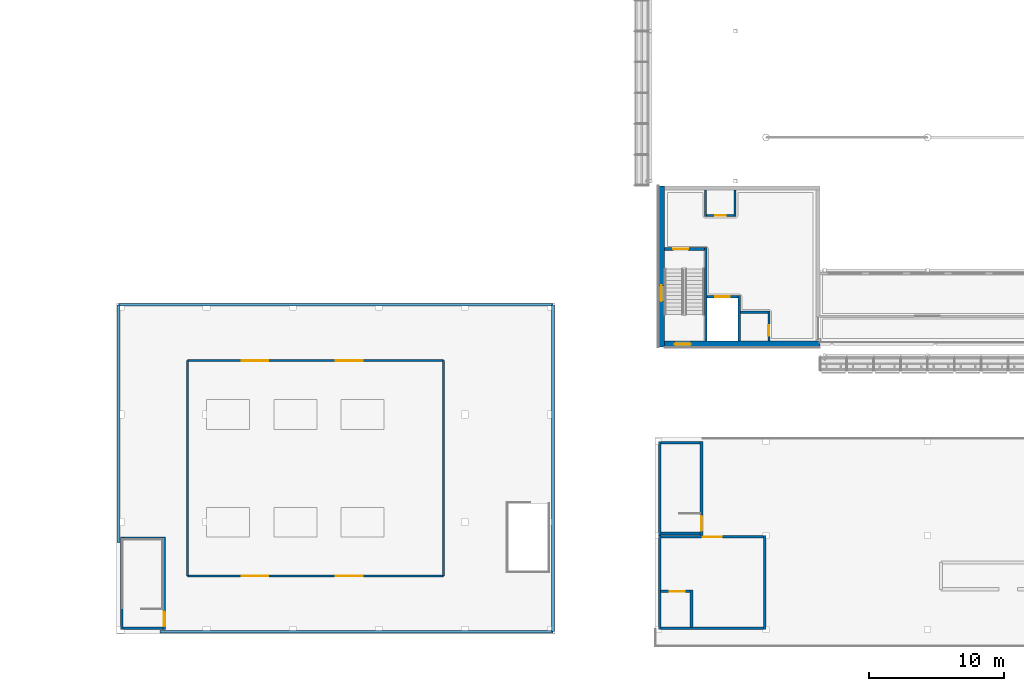
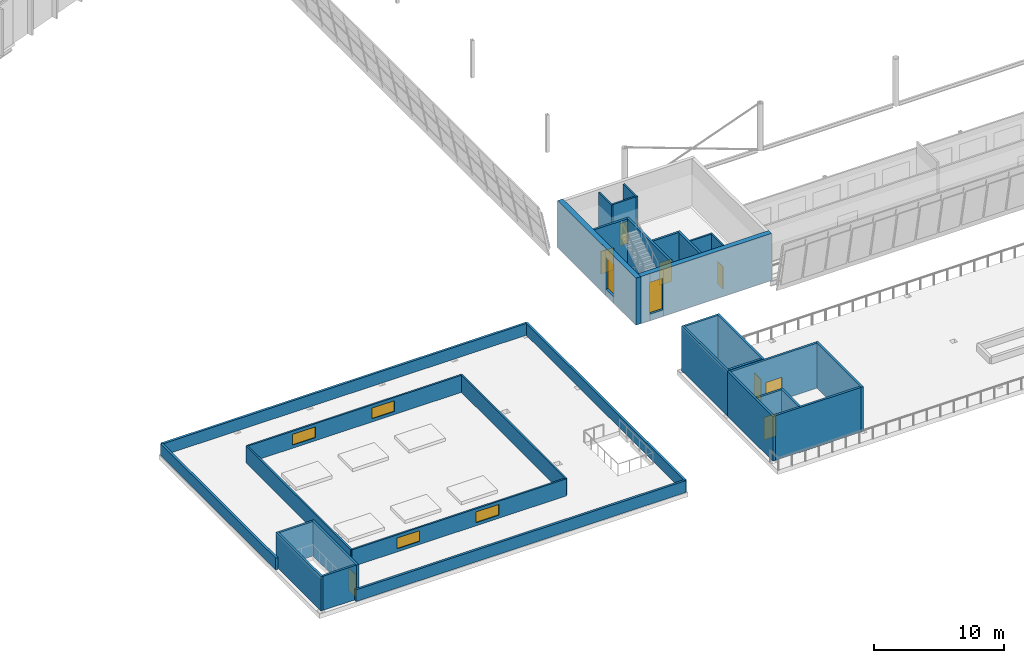
# One storey, part 48 of 95: 33 walls, 8 doors, 6 windows, 14 openings.
"""IFC4 building model written with IfcOpenShell, lengths in metres."""

from ifc_helpers import new_model, si_unit, direction, frame, frame_2d, origin, place, context, subcontext, project, spatial, rectangle, extrude, material, layer, layer_set, type_object, element, fill, save


model = new_model("IFC4")

# Units and contexts
model_context = context("Model", 3, precision=1e-05, world=origin(), true_north=direction((0.0, 1.0)))
body_context = subcontext(model_context, "Body", "Model", "MODEL_VIEW")
ifc_project = project(units=[si_unit("LENGTHUNIT", "METRE"), si_unit("AREAUNIT", "SQUARE_METRE"), si_unit("VOLUMEUNIT", "CUBIC_METRE"), si_unit("PLANEANGLEUNIT", "RADIAN"), si_unit("MASSUNIT", "GRAM", prefix="KILO")], contexts=[model_context])

# Site, building, storey
site_placement = place(None, origin())
site = spatial("IfcSite", under=ifc_project, at=site_placement, CompositionType="ELEMENT")
building_placement = place(site_placement, origin())
building = spatial("IfcBuilding", under=site, at=building_placement, Name="Windward Yard Aquatics Centre", CompositionType="ELEMENT")
storey_placement = place(building_placement, frame((0.0, 0.0, 9.39990234375)))
storey = spatial("IfcBuildingStorey", under=building, at=storey_placement, Name="L02", CompositionType="ELEMENT", Elevation=9.39990234375)

# Wall
ifc_material_1 = material(Name="Concrete C35/45", Category="concrete")
ifc_layer_1 = layer(ifc_material_1, 0.199951171875)
ifc_layer_set_1 = layer_set([ifc_layer_1], Name="C core enclosure wall 200")
wall_type_1 = type_object("IfcWallType", Name="C core enclosure wall 200", PredefinedType="SOLIDWALL", material=ifc_layer_set_1)
wall_1_placement = place(storey_placement, frame((54.449951171875, 5.14990234375, 0.0), z_axis=(0.0, 0.0, 1.0), x_axis=(0.0, 1.0, 0.0)))
element("IfcWall", 1, at=wall_1_placement, inside=storey, type_object=wall_type_1, Name="C.W.L02.LS.E", PredefinedType="SOLIDWALL", context=body_context, shape_type="SweptSolid", body=[
    extrude(rectangle(XDim=2.800048828125, YDim=0.199951171875, at=frame_2d((1.39990234375, 0.0))), origin(), (0.0, 0.0, 1.0), 4.2001953125),
])

# Wall, opening, door
wall_2_placement = place(storey_placement, frame((52.14990234375, 7.85009765625, 0.0), z_axis=(0.0, 0.0, 1.0), x_axis=(1.0, 0.0, 0.0)))
wall_2 = element("IfcWall", 2, at=wall_2_placement, inside=storey, type_object=wall_type_1, Name="C.W.L02.LS.N", PredefinedType="SOLIDWALL", context=body_context, shape_type="SweptSolid", body=[
    extrude(rectangle(XDim=2.2001953125, YDim=0.199951171875, at=frame_2d((1.10009765625, 0.0))), origin(), (0.0, 0.0, 1.0), 4.2001953125),
])
opening_1_placement = place(wall_2_placement, frame((0.699951171875, 0.0, 0.0)))
opening_1 = element("IfcOpeningElement", 3, at=opening_1_placement, cuts=wall_2, Name="Opening C2902", PredefinedType="OPENING", context=body_context, shape_type="SweptSolid", body=[
    extrude(rectangle(XDim=1.10009765625, YDim=2.10009765625, at=frame_2d((0.550048828125, 1.050048828125))), frame((0.0, 0.10986328125, 0.0), z_axis=(0.0, -1.0, 0.0), x_axis=(1.0, 0.0, 0.0)), (0.0, 0.0, 1.0), 0.219970703125),
])
ifc_material_2 = material(Name="Aluminium framed glazed sliding door", Category="aluminium")
door_type_1 = type_object("IfcDoorType", Name="C sliding door 1100X2100 FD60", OperationType="SLIDING_TO_LEFT", PredefinedType="DOOR", material=ifc_material_2)
door_1_placement = place(opening_1_placement, origin())
door_1 = element("IfcDoor", 4, at=door_1_placement, inside=storey, type_object=door_type_1, Name="Lift 1 landing door L02", OperationType="SLIDING_TO_LEFT", OverallHeight=2.10009765625, OverallWidth=1.10009765625, PredefinedType="DOOR", context=body_context, shape_type="SweptSolid", body=[
    extrude(rectangle(XDim=1.10009765625, YDim=2.10009765625, at=frame_2d((0.550048828125, 1.050048828125))), frame((0.0, 0.02490234375, 0.0), z_axis=(0.0, -1.0, 0.0), x_axis=(1.0, 0.0, 0.0)), (0.0, 0.0, 1.0), 0.050048828125),
])
fill(opening_1, door_1)

# Walls
ifc_layer_2 = layer(ifc_material_1, 0.199951171875)
ifc_layer_set_2 = layer_set([ifc_layer_2], Name="C head-house wall 200")
wall_type_2 = type_object("IfcWallType", Name="C head-house wall 200", PredefinedType="SOLIDWALL", material=ifc_layer_set_2)
wall_3_placement = place(storey_placement, frame((52.10009765625, 5.0, 0.0), z_axis=(0.0, 0.0, 1.0), x_axis=(0.0, 1.0, 0.0)))
element("IfcWall", 5, at=wall_3_placement, inside=storey, type_object=wall_type_2, Name="C.W.L02.LW", PredefinedType="SOLIDWALL", context=body_context, shape_type="SweptSolid", body=[
    extrude(rectangle(XDim=7.0, YDim=0.199951171875, at=frame_2d((3.5, 0.0))), origin(), (0.0, 0.0, 1.0), 4.2001953125),
])
wall_4_placement = place(storey_placement, frame((52.199951171875, 5.10009765625, 0.0), z_axis=(0.0, 0.0, 1.0), x_axis=(1.0, 0.0, 0.0)))
element("IfcWall", 6, at=wall_4_placement, inside=storey, type_object=wall_type_2, Name="C.W.L02.LS", PredefinedType="SOLIDWALL", context=body_context, shape_type="SweptSolid", body=[
    extrude(rectangle(XDim=7.60009765625, YDim=0.199951171875, at=frame_2d((3.800048828125, 0.0))), origin(), (0.0, 0.0, 1.0), 4.2001953125),
])
wall_5_placement = place(storey_placement, frame((59.89990234375, 5.0, 0.0), z_axis=(0.0, 0.0, 1.0), x_axis=(0.0, 1.0, 0.0)))
element("IfcWall", 7, at=wall_5_placement, inside=storey, type_object=wall_type_2, Name="C.W.L02.LE", PredefinedType="SOLIDWALL", context=body_context, shape_type="SweptSolid", body=[
    extrude(rectangle(XDim=7.0, YDim=0.199951171875, at=frame_2d((3.5, 0.0))), origin(), (0.0, 0.0, 1.0), 4.2001953125),
])

# Wall, opening, door
wall_6_placement = place(storey_placement, frame((52.199951171875, 11.89990234375, 0.0), z_axis=(0.0, 0.0, 1.0), x_axis=(1.0, 0.0, 0.0)))
wall_6 = element("IfcWall", 8, at=wall_6_placement, inside=storey, type_object=wall_type_2, Name="C.W.L02.LN", PredefinedType="SOLIDWALL", context=body_context, shape_type="SweptSolid", body=[
    extrude(rectangle(XDim=7.60009765625, YDim=0.199951171875, at=frame_2d((3.800048828125, 0.0))), origin(), (0.0, 0.0, 1.0), 4.2001953125),
])
opening_2_placement = place(wall_6_placement, frame((3.10009765625, 0.0, 0.0)))
opening_2 = element("IfcOpeningElement", 9, at=opening_2_placement, cuts=wall_6, Name="Opening C2001", PredefinedType="OPENING", context=body_context, shape_type="SweptSolid", body=[
    extrude(rectangle(XDim=1.39990234375, YDim=2.10009765625, at=frame_2d((0.699951171875, 1.050048828125))), frame((0.0, 0.10986328125, 0.0), z_axis=(0.0, -1.0, 0.0), x_axis=(1.0, 0.0, 0.0)), (0.0, 0.0, 1.0), 0.219970703125),
])
ifc_material_3 = material(Name="Aluminium framed glazed door", Category="aluminium")
door_type_2 = type_object("IfcDoorType", Name="C glazed door 1400X2100 FD60", OperationType="SINGLE_SWING_LEFT", PredefinedType="DOOR", material=ifc_material_3)
door_2_placement = place(opening_2_placement, origin())
door_2 = element("IfcDoor", 10, at=door_2_placement, inside=storey, type_object=door_type_2, Name="Terrace lobby door", OperationType="SINGLE_SWING_LEFT", OverallHeight=2.10009765625, OverallWidth=1.39990234375, PredefinedType="DOOR", context=body_context, shape_type="SweptSolid", body=[
    extrude(rectangle(XDim=1.39990234375, YDim=2.10009765625, at=frame_2d((0.699951171875, 1.050048828125))), frame((0.0, 0.02490234375, 0.0), z_axis=(0.0, -1.0, 0.0), x_axis=(1.0, 0.0, 0.0)), (0.0, 0.0, 1.0), 0.050048828125),
])
fill(opening_2, door_2)

# Wall
wall_7_placement = place(storey_placement, frame((52.10009765625, 12.0, 0.0), z_axis=(0.0, 0.0, 1.0), x_axis=(0.0, 1.0, 0.0)))
element("IfcWall", 11, at=wall_7_placement, inside=storey, type_object=wall_type_2, Name="C.W.L02.S1W", PredefinedType="SOLIDWALL", context=body_context, shape_type="SweptSolid", body=[
    extrude(rectangle(XDim=7.0, YDim=0.199951171875, at=frame_2d((3.5, 0.0))), origin(), (0.0, 0.0, 1.0), 4.2001953125),
])

# Wall, opening, door
wall_8_placement = place(storey_placement, frame((55.199951171875, 12.0, 0.0), z_axis=(0.0, 0.0, 1.0), x_axis=(0.0, 1.0, 0.0)))
wall_8 = element("IfcWall", 12, at=wall_8_placement, inside=storey, type_object=wall_type_2, Name="C.W.L02.S1E", PredefinedType="SOLIDWALL", context=body_context, shape_type="SweptSolid", body=[
    extrude(rectangle(XDim=7.0, YDim=0.199951171875, at=frame_2d((3.5, 0.0))), origin(), (0.0, 0.0, 1.0), 4.2001953125),
])
opening_3_placement = place(wall_8_placement, frame((0.35009765625, 0.0, 0.0)))
opening_3 = element("IfcOpeningElement", 13, at=opening_3_placement, cuts=wall_8, Name="Opening C2002", PredefinedType="OPENING", context=body_context, shape_type="SweptSolid", body=[
    extrude(rectangle(XDim=1.10009765625, YDim=2.10009765625, at=frame_2d((0.550048828125, 1.050048828125))), frame((0.0, 0.10986328125, 0.0), z_axis=(0.0, -1.0, 0.0), x_axis=(1.0, 0.0, 0.0)), (0.0, 0.0, 1.0), 0.219970703125),
])
ifc_material_4 = material(Name="Steel door leaf in steel frame", Category="steel")
door_type_3 = type_object("IfcDoorType", Name="C steel door 1100X2100 FD60", OperationType="SINGLE_SWING_LEFT", PredefinedType="DOOR", material=ifc_material_4)
door_3_placement = place(opening_3_placement, origin())
door_3 = element("IfcDoor", 14, at=door_3_placement, inside=storey, type_object=door_type_3, Name="Stair 1 roof door", OperationType="SINGLE_SWING_LEFT", OverallHeight=2.10009765625, OverallWidth=1.10009765625, PredefinedType="DOOR", context=body_context, shape_type="SweptSolid", body=[
    extrude(rectangle(XDim=1.10009765625, YDim=2.10009765625, at=frame_2d((0.550048828125, 1.050048828125))), frame((0.0, 0.02490234375, 0.0), z_axis=(0.0, -1.0, 0.0), x_axis=(1.0, 0.0, 0.0)), (0.0, 0.0, 1.0), 0.050048828125),
])
fill(opening_3, door_3)

# Walls
for number, where, z_axis, x_axis, name in (
    (15, (52.199951171875, 12.14990234375, 0.0), (0.0, 0.0, 1.0), (1.0, 0.0, 0.0), "C.W.L02.S1S"),
    (16, (52.199951171875, 18.89990234375, 0.0), (0.0, 0.0, 1.0), (1.0, 0.0, 0.0), "C.W.L02.S1N"),
):
    element("IfcWall", number, at=place(storey_placement, frame(where, z_axis=z_axis, x_axis=x_axis)), inside=storey, type_object=wall_type_2, Name=name, PredefinedType="SOLIDWALL", context=body_context, shape_type="SweptSolid", body=[
        extrude(rectangle(XDim=2.900146484375, YDim=0.199951171875, at=frame_2d((1.4501953125, 0.0))), origin(), (0.0, 0.0, 1.0), 4.2001953125),
    ])
ifc_layer_3 = layer(ifc_material_1, 0.199951171875)
ifc_layer_set_3 = layer_set([ifc_layer_3], Name="H Enclosure Wall Concrete C35/45 200")
wall_type_3 = type_object("IfcWallType", Name="H Enclosure Wall Concrete C35/45 200", PredefinedType="SOLIDWALL", material=ifc_layer_set_3)
wall_9_placement = place(storey_placement, frame((55.5, 26.449951171875, 0.0), z_axis=(0.0, 0.0, 1.0), x_axis=(0.0, 1.0, 0.0)))
element("IfcWall", 17, at=wall_9_placement, inside=storey, type_object=wall_type_3, Name="L02 W1 enclosure wall SW", PredefinedType="SOLIDWALL", context=body_context, shape_type="SweptSolid", body=[
    extrude(rectangle(XDim=6.949951171875, YDim=0.199951171875, at=frame_2d((3.47509765625, 0.0))), origin(), (0.0, 0.0, 1.0), 4.400146484375),
])

# Wall, opening, door
wall_10_placement = place(storey_placement, frame((52.449951171875, 33.300048828125, 0.0), z_axis=(0.0, 0.0, 1.0), x_axis=(1.0, 0.0, 0.0)))
wall_10 = element("IfcWall", 18, at=wall_10_placement, inside=storey, type_object=wall_type_3, Name="L02 W2 enclosure wall SW", PredefinedType="SOLIDWALL", context=body_context, shape_type="SweptSolid", body=[
    extrude(rectangle(XDim=2.949951171875, YDim=0.199951171875, at=frame_2d((1.47509765625, 0.0))), origin(), (0.0, 0.0, 1.0), 4.400146484375),
])
opening_4_placement = place(wall_10_placement, frame((0.64990234375, 0.0, 0.0)))
opening_4 = element("IfcOpeningElement", 19, at=opening_4_placement, cuts=wall_10, Name="Opening H2001", PredefinedType="OPENING", context=body_context, shape_type="SweptSolid", body=[
    extrude(rectangle(XDim=1.10009765625, YDim=2.10009765625, at=frame_2d((0.550048828125, 1.050048828125))), frame((0.0, 0.10986328125, 0.0), z_axis=(0.0, -1.0, 0.0), x_axis=(1.0, 0.0, 0.0)), (0.0, 0.0, 1.0), 0.219970703125),
])
ifc_material_5 = material(Name="Steel and timber door leaf", Category="steel")
door_type_4 = type_object("IfcDoorType", Name="H Door Single 1100 x 2100 FD60", OperationType="NOTDEFINED", PredefinedType="DOOR", material=ifc_material_5)
door_4_placement = place(opening_4_placement, origin())
door_4 = element("IfcDoor", 20, at=door_4_placement, inside=storey, type_object=door_type_4, Name="L02 stair SW door", OperationType="SINGLE_SWING_LEFT", OverallHeight=2.10009765625, OverallWidth=1.10009765625, PredefinedType="DOOR", context=body_context, shape_type="SweptSolid", body=[
    extrude(rectangle(XDim=1.10009765625, YDim=2.10009765625, at=frame_2d((0.550048828125, 1.050048828125))), frame((0.0, 0.02490234375, 0.0), z_axis=(0.0, -1.0, 0.0), x_axis=(1.0, 0.0, 0.0)), (0.0, 0.0, 1.0), 0.050048828125),
])
fill(opening_4, door_4)

# Wall
wall_11_placement = place(storey_placement, frame((58.0, 26.449951171875, 0.0), z_axis=(0.0, 0.0, 1.0), x_axis=(0.0, 1.0, 0.0)))
element("IfcWall", 21, at=wall_11_placement, inside=storey, type_object=wall_type_3, Name="L02 W3 enclosure wall SW", PredefinedType="SOLIDWALL", context=body_context, shape_type="SweptSolid", body=[
    extrude(rectangle(XDim=3.400146484375, YDim=0.199951171875, at=frame_2d((1.7001953125, 0.0))), origin(), (0.0, 0.0, 1.0), 4.400146484375),
])

# Wall, opening, door
wall_12_placement = place(storey_placement, frame((55.60009765625, 29.75, 0.0), z_axis=(0.0, 0.0, 1.0), x_axis=(1.0, 0.0, 0.0)))
wall_12 = element("IfcWall", 22, at=wall_12_placement, inside=storey, type_object=wall_type_3, Name="L02 W4 enclosure wall SW", PredefinedType="SOLIDWALL", context=body_context, shape_type="SweptSolid", body=[
    extrude(rectangle(XDim=2.2998046875, YDim=0.199951171875, at=frame_2d((1.14990234375, 0.0))), origin(), (0.0, 0.0, 1.0), 4.400146484375),
])
opening_5_placement = place(wall_12_placement, frame((0.60009765625, 0.0, 0.0)))
opening_5 = element("IfcOpeningElement", 23, at=opening_5_placement, cuts=wall_12, Name="Opening H2002", PredefinedType="OPENING", context=body_context, shape_type="SweptSolid", body=[
    extrude(rectangle(XDim=1.10009765625, YDim=2.10009765625, at=frame_2d((0.550048828125, 1.050048828125))), frame((0.0, 0.10986328125, 0.0), z_axis=(0.0, -1.0, 0.0), x_axis=(1.0, 0.0, 0.0)), (0.0, 0.0, 1.0), 0.219970703125),
])
ifc_material_6 = material(Name="Stainless steel 1.4301", Category="steel")
door_type_5 = type_object("IfcDoorType", Name="H Lift Landing Door 1100 x 2100", OperationType="DOUBLE_DOOR_SLIDING", PredefinedType="DOOR", material=ifc_material_6)
door_5_placement = place(opening_5_placement, origin())
door_5 = element("IfcDoor", 24, at=door_5_placement, inside=storey, type_object=door_type_5, Name="Lift SW landing door L02", OperationType="DOUBLE_DOOR_SLIDING", OverallHeight=2.10009765625, OverallWidth=1.10009765625, PredefinedType="DOOR", context=body_context, shape_type="SweptSolid", body=[
    extrude(rectangle(XDim=1.10009765625, YDim=2.10009765625, at=frame_2d((0.550048828125, 1.050048828125))), frame((0.0, 0.02490234375, 0.0), z_axis=(0.0, -1.0, 0.0), x_axis=(1.0, 0.0, 0.0)), (0.0, 0.0, 1.0), 0.050048828125),
])
fill(opening_5, door_5)

# Wall
ifc_material_7 = material(Name="Blockwork 150 mm", Category="masonry")
ifc_layer_4 = layer(ifc_material_7, 0.14990234375)
ifc_layer_set_4 = layer_set([ifc_layer_4], Name="H Partition Blockwork 150")
wall_type_4 = type_object("IfcWallType", Name="H Partition Blockwork 150", PredefinedType="PARTITIONING", material=ifc_layer_set_4)
wall_13_placement = place(storey_placement, frame((58.10009765625, 28.60009765625, 0.0), z_axis=(0.0, 0.0, 1.0), x_axis=(1.0, 0.0, 0.0)))
element("IfcWall", 25, at=wall_13_placement, inside=storey, type_object=wall_type_4, Name="L02 R1N riser wall SW", PredefinedType="PARTITIONING", context=body_context, shape_type="SweptSolid", body=[
    extrude(rectangle(XDim=2.02490234375, YDim=0.14990234375, at=frame_2d((1.012451171875, 0.0))), origin(), (0.0, 0.0, 1.0), 4.150146484375),
])

# Wall, opening, door
wall_14_placement = place(storey_placement, frame((60.199951171875, 26.449951171875, 0.0), z_axis=(0.0, 0.0, 1.0), x_axis=(0.0, 1.0, 0.0)))
wall_14 = element("IfcWall", 26, at=wall_14_placement, inside=storey, type_object=wall_type_4, Name="L02 R1E riser wall SW", PredefinedType="PARTITIONING", context=body_context, shape_type="SweptSolid", body=[
    extrude(rectangle(XDim=2.22509765625, YDim=0.14990234375, at=frame_2d((1.112548828125, 0.0))), origin(), (0.0, 0.0, 1.0), 4.150146484375),
])
opening_6_placement = place(wall_14_placement, frame((0.39990234375, 0.0, 0.0)))
opening_6 = element("IfcOpeningElement", 27, at=opening_6_placement, cuts=wall_14, Name="Opening H2003", PredefinedType="OPENING", context=body_context, shape_type="SweptSolid", body=[
    extrude(rectangle(XDim=0.800048828125, YDim=2.10009765625, at=frame_2d((0.39990234375, 1.050048828125))), frame((0.0, 0.0849609375, 0.0), z_axis=(0.0, -1.0, 0.0), x_axis=(1.0, 0.0, 0.0)), (0.0, 0.0, 1.0), 0.169921875),
])
door_type_6 = type_object("IfcDoorType", Name="H Door Riser 800 x 2100 FD60", OperationType="NOTDEFINED", PredefinedType="DOOR", material=ifc_material_5)
door_6_placement = place(opening_6_placement, origin())
door_6 = element("IfcDoor", 28, at=door_6_placement, inside=storey, type_object=door_type_6, Name="L02 electrical riser SW door", OperationType="SINGLE_SWING_RIGHT", OverallHeight=2.10009765625, OverallWidth=0.800048828125, PredefinedType="DOOR", context=body_context, shape_type="SweptSolid", body=[
    extrude(rectangle(XDim=0.800048828125, YDim=2.10009765625, at=frame_2d((0.39990234375, 1.050048828125))), frame((0.0, 0.02490234375, 0.0), z_axis=(0.0, -1.0, 0.0), x_axis=(1.0, 0.0, 0.0)), (0.0, 0.0, 1.0), 0.050048828125),
])
fill(opening_6, door_6)

wall_15_placement = place(storey_placement, frame((55.574951171875, 35.800048828125, 0.0), z_axis=(0.0, 0.0, 1.0), x_axis=(1.0, 0.0, 0.0)))
wall_15 = element("IfcWall", 29, at=wall_15_placement, inside=storey, type_object=wall_type_4, Name="L02 R2S riser wall SW", PredefinedType="PARTITIONING", context=body_context, shape_type="SweptSolid", body=[
    extrude(rectangle(XDim=2.050048828125, YDim=0.14990234375, at=frame_2d((1.02490234375, 0.0))), origin(), (0.0, 0.0, 1.0), 4.150146484375),
])
opening_7_placement = place(wall_15_placement, frame((0.625, 0.0, 0.0)))
opening_7 = element("IfcOpeningElement", 30, at=opening_7_placement, cuts=wall_15, Name="Opening H2004", PredefinedType="OPENING", context=body_context, shape_type="SweptSolid", body=[
    extrude(rectangle(XDim=0.800048828125, YDim=2.10009765625, at=frame_2d((0.39990234375, 1.050048828125))), frame((0.0, 0.0849609375, 0.0), z_axis=(0.0, -1.0, 0.0), x_axis=(1.0, 0.0, 0.0)), (0.0, 0.0, 1.0), 0.169921875),
])
door_7_placement = place(opening_7_placement, origin())
door_7 = element("IfcDoor", 31, at=door_7_placement, inside=storey, type_object=door_type_6, Name="L02 communications riser SW door", OperationType="SINGLE_SWING_LEFT", OverallHeight=2.10009765625, OverallWidth=0.800048828125, PredefinedType="DOOR", context=body_context, shape_type="SweptSolid", body=[
    extrude(rectangle(XDim=0.800048828125, YDim=2.10009765625, at=frame_2d((0.39990234375, 1.050048828125))), frame((0.0, 0.02490234375, 0.0), z_axis=(0.0, -1.0, 0.0), x_axis=(1.0, 0.0, 0.0)), (0.0, 0.0, 1.0), 0.050048828125),
])
fill(opening_7, door_7)

# Walls
for number, where, z_axis, x_axis, name in (
    (32, (55.5, 35.72509765625, 0.0), (0.0, 0.0, 1.0), (0.0, 1.0, 0.0), "L02 R2W riser wall SW"),
    (33, (57.699951171875, 35.72509765625, 0.0), (0.0, 0.0, 1.0), (0.0, 1.0, 0.0), "L02 R2E riser wall SW"),
):
    element("IfcWall", number, at=place(storey_placement, frame(where, z_axis=z_axis, x_axis=x_axis)), inside=storey, type_object=wall_type_4, Name=name, PredefinedType="PARTITIONING", context=body_context, shape_type="SweptSolid", body=[
        extrude(rectangle(XDim=1.974853515625, YDim=0.14990234375, at=frame_2d((0.9873046875, 0.0))), origin(), (0.0, 0.0, 1.0), 4.150146484375),
    ])

# Wall, opening, window
ifc_material_8 = material(Name="Natural stone cladding", Category="masonry")
ifc_layer_5 = layer(ifc_material_8, 0.04, Name="Cladding")
ifc_material_9 = material(Name="Ventilated air cavity")
ifc_layer_6 = layer(ifc_material_9, 0.05, ventilated=True, Name="Ventilated cavity")
ifc_material_10 = material(Name="Mineral wool insulation")
ifc_layer_7 = layer(ifc_material_10, 0.08, Name="Insulation")
ifc_layer_8 = layer(ifc_material_1, 0.28, Name="Structure")
ifc_layer_set_5 = layer_set([ifc_layer_5, ifc_layer_6, ifc_layer_7, ifc_layer_8], Name="H plinth wall stone faced 450 C35/45")
wall_type_5 = type_object("IfcWallType", Name="H plinth wall stone faced 450 C35/45", PredefinedType="ELEMENTEDWALL", material=ifc_layer_set_5)
wall_16_placement = place(storey_placement, frame((52.22509765625, 26.0, 0.0), z_axis=(0.0, 0.0, 1.0), x_axis=(0.0, 1.0, 0.0)))
wall_16 = element("IfcWall", 34, at=wall_16_placement, inside=storey, type_object=wall_type_5, Name="H.CW.SW.W.L02", PredefinedType="ELEMENTEDWALL", context=body_context, shape_type="SweptSolid", body=[
    extrude(rectangle(XDim=12.0, YDim=0.449951171875, at=frame_2d((6.0, 0.0))), origin(), (0.0, 0.0, 1.0), 4.400146484375),
])
opening_8_placement = place(wall_16_placement, frame((3.39990234375, 0.0, 0.60009765625)))
opening_8 = element("IfcOpeningElement", 35, at=opening_8_placement, cuts=wall_16, Name="Opening W2043", PredefinedType="OPENING", context=body_context, shape_type="SweptSolid", body=[
    extrude(rectangle(XDim=1.199951171875, YDim=3.0, at=frame_2d((0.60009765625, 1.5))), frame((0.0, 0.23486328125, 0.0), z_axis=(0.0, -1.0, 0.0), x_axis=(1.0, 0.0, 0.0)), (0.0, 0.0, 1.0), 0.469970703125),
])
ifc_material_11 = material(Name="Fire-resisting glazing in steel frame", Category="steel")
window_type_1 = type_object("IfcWindowType", Name="H Core Stair Window 1200 x 3000 EI 60", PartitioningType="SINGLE_PANEL", PredefinedType="WINDOW", material=ifc_material_11)
window_1_placement = place(opening_8_placement, origin())
window_1 = element("IfcWindow", 36, at=window_1_placement, inside=storey, type_object=window_type_1, Name="L02 core SW stair window", OverallHeight=3.0, OverallWidth=1.199951171875, PartitioningType="SINGLE_PANEL", PredefinedType="WINDOW", context=body_context, shape_type="SweptSolid", body=[
    extrude(rectangle(XDim=1.199951171875, YDim=3.0, at=frame_2d((0.60009765625, 1.5))), frame((0.0, 0.030029296875, 0.0), z_axis=(0.0, -1.0, 0.0), x_axis=(1.0, 0.0, 0.0)), (0.0, 0.0, 1.0), 0.06005859375),
])
fill(opening_8, window_1)

wall_17_placement = place(storey_placement, frame((52.449951171875, 26.22509765625, 0.0), z_axis=(0.0, 0.0, 1.0), x_axis=(1.0, 0.0, 0.0)))
wall_17 = element("IfcWall", 37, at=wall_17_placement, inside=storey, type_object=wall_type_5, Name="H.CW.SW.S.L02", PredefinedType="ELEMENTEDWALL", context=body_context, shape_type="SweptSolid", body=[
    extrude(rectangle(XDim=11.550048828125, YDim=0.449951171875, at=frame_2d((5.77490234375, 0.0))), origin(), (0.0, 0.0, 1.0), 4.400146484375),
])
opening_9_placement = place(wall_17_placement, frame((0.75, 0.0, 0.60009765625)))
opening_9 = element("IfcOpeningElement", 38, at=opening_9_placement, cuts=wall_17, Name="Opening W2044", PredefinedType="OPENING", context=body_context, shape_type="SweptSolid", body=[
    extrude(rectangle(XDim=1.199951171875, YDim=3.0, at=frame_2d((0.60009765625, 1.5))), frame((0.0, 0.23486328125, 0.0), z_axis=(0.0, -1.0, 0.0), x_axis=(1.0, 0.0, 0.0)), (0.0, 0.0, 1.0), 0.469970703125),
])
window_2_placement = place(opening_9_placement, origin())
window_2 = element("IfcWindow", 39, at=window_2_placement, inside=storey, type_object=window_type_1, Name="L02 core SW stair window", OverallHeight=3.0, OverallWidth=1.199951171875, PartitioningType="SINGLE_PANEL", PredefinedType="WINDOW", context=body_context, shape_type="SweptSolid", body=[
    extrude(rectangle(XDim=1.199951171875, YDim=3.0, at=frame_2d((0.60009765625, 1.5))), frame((0.0, 0.030029296875, 0.0), z_axis=(0.0, -1.0, 0.0), x_axis=(1.0, 0.0, 0.0)), (0.0, 0.0, 1.0), 0.06005859375),
])
fill(opening_9, window_2)

# Wall, openings, windows
ifc_material_12 = material(Name="Aluminium louvre screen on steel posts", Category="steel")
ifc_layer_9 = layer(ifc_material_12, 0.14990234375)
ifc_layer_set_6 = layer_set([ifc_layer_9], Name="P plant screen 150")
wall_type_6 = type_object("IfcWallType", Name="P plant screen 150", PredefinedType="PARTITIONING", material=ifc_layer_set_6)
wall_18_placement = place(storey_placement, frame((17.0, 9.0, 0.0), z_axis=(0.0, 0.0, 1.0), x_axis=(1.0, 0.0, 0.0)))
wall_18 = element("IfcWall", 40, at=wall_18_placement, inside=storey, type_object=wall_type_6, Name="P.W.L02.SC.S", PredefinedType="PARTITIONING", context=body_context, shape_type="SweptSolid", body=[
    extrude(rectangle(XDim=19.0, YDim=0.14990234375, at=frame_2d((9.5, 0.0))), origin(), (0.0, 0.0, 1.0), 1.60009765625),
])
opening_10_placement = place(wall_18_placement, frame((4.0, 0.0, 0.300048828125)))
opening_10 = element("IfcOpeningElement", 41, at=opening_10_placement, cuts=wall_18, Name="Opening PW2001", PredefinedType="OPENING", context=body_context, shape_type="SweptSolid", body=[
    extrude(rectangle(XDim=2.0, YDim=1.0, at=frame_2d((1.0, 0.5))), frame((0.0, 0.0849609375, 0.0), z_axis=(0.0, -1.0, 0.0), x_axis=(1.0, 0.0, 0.0)), (0.0, 0.0, 1.0), 0.169921875),
])
opening_11_placement = place(wall_18_placement, frame((11.0, 0.0, 0.300048828125)))
opening_11 = element("IfcOpeningElement", 42, at=opening_11_placement, cuts=wall_18, Name="Opening PW2002", PredefinedType="OPENING", context=body_context, shape_type="SweptSolid", body=[
    extrude(rectangle(XDim=2.0, YDim=1.0, at=frame_2d((1.0, 0.5))), frame((0.0, 0.0849609375, 0.0), z_axis=(0.0, -1.0, 0.0), x_axis=(1.0, 0.0, 0.0)), (0.0, 0.0, 1.0), 0.169921875),
])
ifc_material_13 = material(Name="Aluminium storm louvre", Category="aluminium")
window_type_2 = type_object("IfcWindowType", Name="P louvre 2000X1000", PartitioningType="NOTDEFINED", PredefinedType="USERDEFINED", material=ifc_material_13)
window_3_placement = place(opening_10_placement, origin())
window_3 = element("IfcWindow", 43, at=window_3_placement, inside=storey, type_object=window_type_2, Name="Louvre PW2001", ObjectType="STORM LOUVRE", OverallHeight=1.0, OverallWidth=2.0, PartitioningType="SINGLE_PANEL", PredefinedType="USERDEFINED", context=body_context, shape_type="SweptSolid", body=[
    extrude(rectangle(XDim=2.0, YDim=1.0, at=frame_2d((1.0, 0.5))), frame((0.0, 0.030029296875, 0.0), z_axis=(0.0, -1.0, 0.0), x_axis=(1.0, 0.0, 0.0)), (0.0, 0.0, 1.0), 0.06005859375),
])
fill(opening_10, window_3)
window_4_placement = place(opening_11_placement, origin())
window_4 = element("IfcWindow", 44, at=window_4_placement, inside=storey, type_object=window_type_2, Name="Louvre PW2002", ObjectType="STORM LOUVRE", OverallHeight=1.0, OverallWidth=2.0, PartitioningType="SINGLE_PANEL", PredefinedType="USERDEFINED", context=body_context, shape_type="SweptSolid", body=[
    extrude(rectangle(XDim=2.0, YDim=1.0, at=frame_2d((1.0, 0.5))), frame((0.0, 0.030029296875, 0.0), z_axis=(0.0, -1.0, 0.0), x_axis=(1.0, 0.0, 0.0)), (0.0, 0.0, 1.0), 0.06005859375),
])
fill(opening_11, window_4)

wall_19_placement = place(storey_placement, frame((17.0, 25.0, 0.0), z_axis=(0.0, 0.0, 1.0), x_axis=(1.0, 0.0, 0.0)))
wall_19 = element("IfcWall", 45, at=wall_19_placement, inside=storey, type_object=wall_type_6, Name="P.W.L02.SC.N", PredefinedType="PARTITIONING", context=body_context, shape_type="SweptSolid", body=[
    extrude(rectangle(XDim=19.0, YDim=0.14990234375, at=frame_2d((9.5, 0.0))), origin(), (0.0, 0.0, 1.0), 1.60009765625),
])
opening_12_placement = place(wall_19_placement, frame((4.0, 0.0, 0.300048828125)))
opening_12 = element("IfcOpeningElement", 46, at=opening_12_placement, cuts=wall_19, Name="Opening PW2003", PredefinedType="OPENING", context=body_context, shape_type="SweptSolid", body=[
    extrude(rectangle(XDim=2.0, YDim=1.0, at=frame_2d((1.0, 0.5))), frame((0.0, 0.0849609375, 0.0), z_axis=(0.0, -1.0, 0.0), x_axis=(1.0, 0.0, 0.0)), (0.0, 0.0, 1.0), 0.169921875),
])
opening_13_placement = place(wall_19_placement, frame((11.0, 0.0, 0.300048828125)))
opening_13 = element("IfcOpeningElement", 47, at=opening_13_placement, cuts=wall_19, Name="Opening PW2004", PredefinedType="OPENING", context=body_context, shape_type="SweptSolid", body=[
    extrude(rectangle(XDim=2.0, YDim=1.0, at=frame_2d((1.0, 0.5))), frame((0.0, 0.0849609375, 0.0), z_axis=(0.0, -1.0, 0.0), x_axis=(1.0, 0.0, 0.0)), (0.0, 0.0, 1.0), 0.169921875),
])
window_5_placement = place(opening_12_placement, origin())
window_5 = element("IfcWindow", 48, at=window_5_placement, inside=storey, type_object=window_type_2, Name="Louvre PW2003", ObjectType="STORM LOUVRE", OverallHeight=1.0, OverallWidth=2.0, PartitioningType="SINGLE_PANEL", PredefinedType="USERDEFINED", context=body_context, shape_type="SweptSolid", body=[
    extrude(rectangle(XDim=2.0, YDim=1.0, at=frame_2d((1.0, 0.5))), frame((0.0, 0.030029296875, 0.0), z_axis=(0.0, -1.0, 0.0), x_axis=(1.0, 0.0, 0.0)), (0.0, 0.0, 1.0), 0.06005859375),
])
fill(opening_12, window_5)
window_6_placement = place(opening_13_placement, origin())
window_6 = element("IfcWindow", 49, at=window_6_placement, inside=storey, type_object=window_type_2, Name="Louvre PW2004", ObjectType="STORM LOUVRE", OverallHeight=1.0, OverallWidth=2.0, PartitioningType="SINGLE_PANEL", PredefinedType="USERDEFINED", context=body_context, shape_type="SweptSolid", body=[
    extrude(rectangle(XDim=2.0, YDim=1.0, at=frame_2d((1.0, 0.5))), frame((0.0, 0.030029296875, 0.0), z_axis=(0.0, -1.0, 0.0), x_axis=(1.0, 0.0, 0.0)), (0.0, 0.0, 1.0), 0.06005859375),
])
fill(opening_13, window_6)

# Walls
for number, where, z_axis, x_axis, name in (
    (50, (17.0, 9.0, 0.0), (0.0, 0.0, 1.0), (0.0, 1.0, 0.0), "P.W.L02.SC.W"),
    (51, (36.0, 9.0, 0.0), (0.0, 0.0, 1.0), (0.0, 1.0, 0.0), "P.W.L02.SC.E"),
):
    element("IfcWall", number, at=place(storey_placement, frame(where, z_axis=z_axis, x_axis=x_axis)), inside=storey, type_object=wall_type_6, Name=name, PredefinedType="PARTITIONING", context=body_context, shape_type="SweptSolid", body=[
        extrude(rectangle(XDim=16.0, YDim=0.14990234375, at=frame_2d((8.0, 0.0))), origin(), (0.0, 0.0, 1.0), 1.60009765625),
    ])
ifc_layer_10 = layer(ifc_material_1, 0.199951171875)
ifc_layer_set_7 = layer_set([ifc_layer_10], Name="P roof parapet 200")
wall_type_7 = type_object("IfcWallType", Name="P roof parapet 200", PredefinedType="PARAPET", material=ifc_layer_set_7)
wall_20_placement = place(storey_placement, frame((14.949951171875, 4.85009765625, 0.0), z_axis=(0.0, 0.0, 1.0), x_axis=(1.0, 0.0, 0.0)))
element("IfcWall", 52, at=wall_20_placement, inside=storey, type_object=wall_type_7, Name="P.W.L02.PA.S", PredefinedType="PARAPET", context=body_context, shape_type="SweptSolid", body=[
    extrude(rectangle(XDim=29.199951171875, YDim=0.199951171875, at=frame_2d((14.60009765625, 0.0))), origin(), (0.0, 0.0, 1.0), 1.10009765625),
])
wall_21_placement = place(storey_placement, frame((11.85009765625, 29.14990234375, 0.0), z_axis=(0.0, 0.0, 1.0), x_axis=(1.0, 0.0, 0.0)))
element("IfcWall", 53, at=wall_21_placement, inside=storey, type_object=wall_type_7, Name="P.W.L02.PA.N", PredefinedType="PARAPET", context=body_context, shape_type="SweptSolid", body=[
    extrude(rectangle(XDim=32.2998046875, YDim=0.199951171875, at=frame_2d((16.14990234375, 0.0))), origin(), (0.0, 0.0, 1.0), 1.10009765625),
])
wall_22_placement = place(storey_placement, frame((11.85009765625, 11.5, 0.0), z_axis=(0.0, 0.0, 1.0), x_axis=(0.0, 1.0, 0.0)))
element("IfcWall", 54, at=wall_22_placement, inside=storey, type_object=wall_type_7, Name="P.W.L02.PA.W", PredefinedType="PARAPET", context=body_context, shape_type="SweptSolid", body=[
    extrude(rectangle(XDim=17.64990234375, YDim=0.199951171875, at=frame_2d((8.824951171875, 0.0))), origin(), (0.0, 0.0, 1.0), 1.10009765625),
])
wall_23_placement = place(storey_placement, frame((44.14990234375, 4.85009765625, 0.0), z_axis=(0.0, 0.0, 1.0), x_axis=(0.0, 1.0, 0.0)))
element("IfcWall", 55, at=wall_23_placement, inside=storey, type_object=wall_type_7, Name="P.W.L02.PA.E", PredefinedType="PARAPET", context=body_context, shape_type="SweptSolid", body=[
    extrude(rectangle(XDim=24.2998046875, YDim=0.199951171875, at=frame_2d((12.14990234375, 0.0))), origin(), (0.0, 0.0, 1.0), 1.10009765625),
])
ifc_layer_11 = layer(ifc_material_1, 0.199951171875)
ifc_layer_set_8 = layer_set([ifc_layer_11], Name="P stair head-house wall 200")
wall_type_8 = type_object("IfcWallType", Name="P stair head-house wall 200", PredefinedType="SOLIDWALL", material=ifc_layer_set_8)
wall_24_placement = place(storey_placement, frame((12.10009765625, 5.0, 0.0), z_axis=(0.0, 0.0, 1.0), x_axis=(0.0, 1.0, 0.0)))
element("IfcWall", 56, at=wall_24_placement, inside=storey, type_object=wall_type_8, Name="P.W.L02.HH.W", PredefinedType="SOLIDWALL", context=body_context, shape_type="SweptSolid", body=[
    extrude(rectangle(XDim=6.89990234375, YDim=0.199951171875, at=frame_2d((3.449951171875, 0.0))), origin(), (0.0, 0.0, 1.0), 3.2001953125),
])
wall_25_placement = place(storey_placement, frame((12.199951171875, 5.10009765625, 0.0), z_axis=(0.0, 0.0, 1.0), x_axis=(1.0, 0.0, 0.0)))
element("IfcWall", 57, at=wall_25_placement, inside=storey, type_object=wall_type_8, Name="P.W.L02.HH.S", PredefinedType="SOLIDWALL", context=body_context, shape_type="SweptSolid", body=[
    extrude(rectangle(XDim=2.949951171875, YDim=0.199951171875, at=frame_2d((1.47509765625, 0.0))), origin(), (0.0, 0.0, 1.0), 3.2001953125),
])

# Wall, opening, door
wall_26_placement = place(storey_placement, frame((15.25, 5.0, 0.0), z_axis=(0.0, 0.0, 1.0), x_axis=(0.0, 1.0, 0.0)))
wall_26 = element("IfcWall", 58, at=wall_26_placement, inside=storey, type_object=wall_type_8, Name="P.W.L02.HH.E", PredefinedType="SOLIDWALL", context=body_context, shape_type="SweptSolid", body=[
    extrude(rectangle(XDim=6.89990234375, YDim=0.199951171875, at=frame_2d((3.449951171875, 0.0))), origin(), (0.0, 0.0, 1.0), 3.2001953125),
])
opening_14_placement = place(wall_26_placement, frame((0.25, 0.0, 0.0)))
opening_14 = element("IfcOpeningElement", 59, at=opening_14_placement, cuts=wall_26, Name="Opening P2001", PredefinedType="OPENING", context=body_context, shape_type="SweptSolid", body=[
    extrude(rectangle(XDim=1.10009765625, YDim=2.10009765625, at=frame_2d((0.550048828125, 1.050048828125))), frame((0.0, 0.10986328125, 0.0), z_axis=(0.0, -1.0, 0.0), x_axis=(1.0, 0.0, 0.0)), (0.0, 0.0, 1.0), 0.219970703125),
])
door_type_7 = type_object("IfcDoorType", Name="P steel door 1100X2100 FD60", OperationType="SINGLE_SWING_LEFT", PredefinedType="DOOR", material=ifc_material_4)
door_8_placement = place(opening_14_placement, origin())
door_8 = element("IfcDoor", 60, at=door_8_placement, inside=storey, type_object=door_type_7, Name="Roof door", OperationType="SINGLE_SWING_LEFT", OverallHeight=2.10009765625, OverallWidth=1.10009765625, PredefinedType="DOOR", context=body_context, shape_type="SweptSolid", body=[
    extrude(rectangle(XDim=1.10009765625, YDim=2.10009765625, at=frame_2d((0.550048828125, 1.050048828125))), frame((0.0, 0.02490234375, 0.0), z_axis=(0.0, -1.0, 0.0), x_axis=(1.0, 0.0, 0.0)), (0.0, 0.0, 1.0), 0.050048828125),
])
fill(opening_14, door_8)

# Wall
wall_27_placement = place(storey_placement, frame((12.199951171875, 11.800048828125, 0.0), z_axis=(0.0, 0.0, 1.0), x_axis=(1.0, 0.0, 0.0)))
element("IfcWall", 61, at=wall_27_placement, inside=storey, type_object=wall_type_8, Name="P.W.L02.HH.N", PredefinedType="SOLIDWALL", context=body_context, shape_type="SweptSolid", body=[
    extrude(rectangle(XDim=2.949951171875, YDim=0.199951171875, at=frame_2d((1.47509765625, 0.0))), origin(), (0.0, 0.0, 1.0), 3.2001953125),
])

save(model, "model.ifc")
